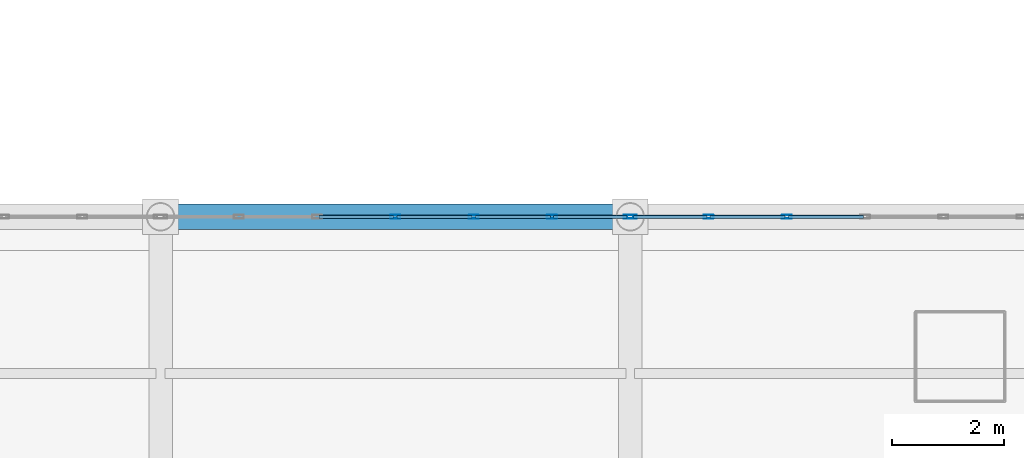
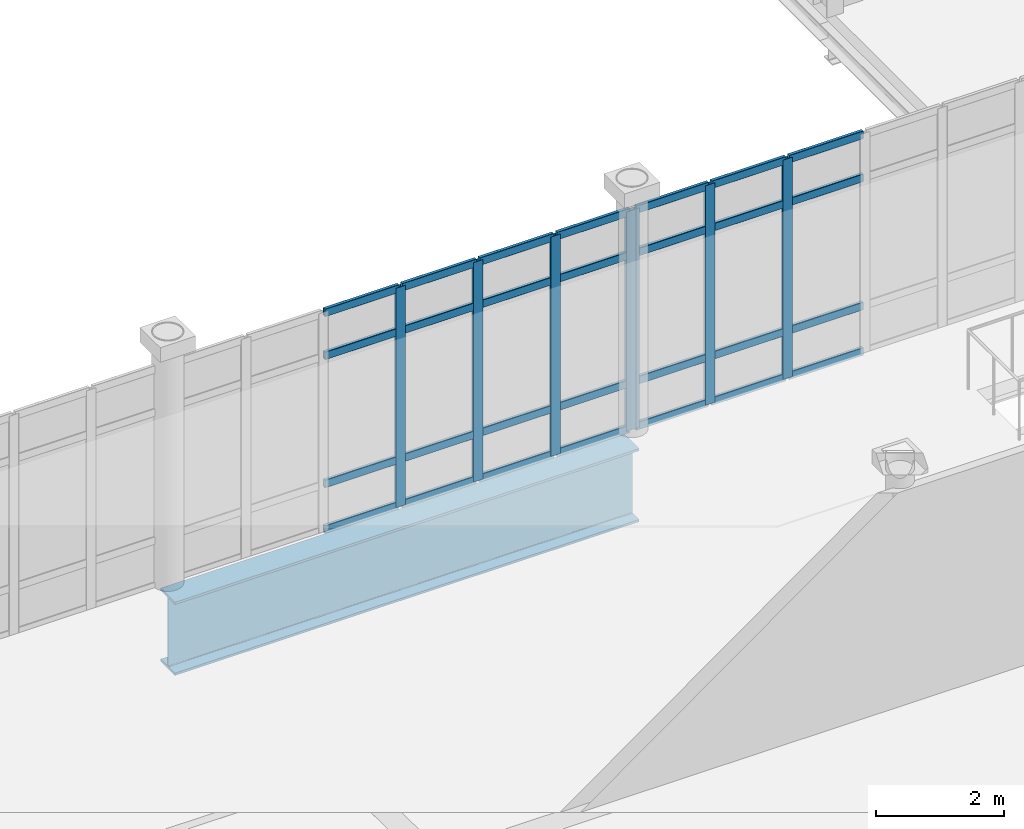
# One storey, part 56 of 145: 35 members, 1 beam, 2 elements without a shape of their own.
"""IFC4 building model written with IfcOpenShell, lengths in metres."""

from ifc_helpers import new_model, si_unit, direction, frame, origin, origin_2d, place, context, subcontext, project, spatial, hollow_rectangle, i_section, extrude, material, layer, layer_set, material_profile, profile_set, type_object, element, aggregate, save


model = new_model("IFC4")

# Units and contexts
model_context = context("Model", 3, precision=1e-05, world=origin(), true_north=direction((0.0, 1.0)))
body_context = subcontext(model_context, "Body", "Model", "MODEL_VIEW")
ifc_project = project(units=[si_unit("LENGTHUNIT", "METRE"), si_unit("AREAUNIT", "SQUARE_METRE"), si_unit("VOLUMEUNIT", "CUBIC_METRE"), si_unit("PLANEANGLEUNIT", "RADIAN"), si_unit("MASSUNIT", "GRAM", prefix="KILO")], contexts=[model_context])

# Site, building, storey
site_placement = place(None, origin())
site = spatial("IfcSite", under=ifc_project, at=site_placement, CompositionType="ELEMENT")
building_placement = place(site_placement, origin())
building = spatial("IfcBuilding", under=site, at=building_placement, Name="Qalvenar Corner Mobility Hub", CompositionType="ELEMENT")
storey_placement = place(building_placement, origin())
storey = spatial("IfcBuildingStorey", under=building, at=storey_placement, Name="L00", CompositionType="ELEMENT", Elevation=0.0)

# Beam
ifc_material_1 = material(Name="Steel S355", Category="steel")
ifc_material_profile_1 = material_profile(ifc_material_1, i_section(OverallWidth=0.449951171875, OverallDepth=1.39990234375, WebThickness=0.02587890625, FlangeThickness=0.0439453125, FilletRadius=0.02392578125, at=origin_2d()), Name="W1100x499-TG1400")
ifc_profile_set_1 = profile_set([ifc_material_profile_1], Name="Steel S355")
beam_type = type_object("IfcBeamType", Name="BM-TG1400", PredefinedType="T_BEAM", material=ifc_profile_set_1)
beam_placement = place(storey_placement, frame((92.39990234375, 33.60009765625, -0.949951171875), z_axis=(1.0, 0.0, 0.0), x_axis=(0.0, 1.0, 0.0)))
element("IfcBeam", 1, at=beam_placement, inside=storey, type_object=beam_type, Name="Transfer Girder TG-0162", PredefinedType="T_BEAM", context=body_context, shape_type="SweptSolid", body=[
    extrude(i_section(OverallWidth=0.449951171875, OverallDepth=1.39990234375, WebThickness=0.02587890625, FlangeThickness=0.0439453125, FilletRadius=0.02392578125, at=origin_2d()), origin(), (0.0, 0.0, 1.0), 8.400146484375),
])

# Curtain wall, members
ifc_material_2 = material(Name="Anodised Aluminium and Low-E Glazing", Category="aluminium")
ifc_layer = layer(ifc_material_2, 0.179931640625)
ifc_layer_set = layer_set([ifc_layer], Name="Anodised Aluminium and Low-E Glazing")
curtain_wall_type = type_object("IfcCurtainWallType", Name="CW-CONC-84X48", PredefinedType="NOTDEFINED", material=ifc_layer_set)
curtain_wall_1_placement = place(storey_placement, origin())
curtain_wall_1 = element("IfcCurtainWall", 2, at=curtain_wall_1_placement, inside=storey, type_object=curtain_wall_type, Name="Glazed Curtain Wall CW-V1-L00-N5", PredefinedType="NOTDEFINED")
ifc_material_3 = material(Name="Anodised Aluminium 6063-T6", Category="aluminium")
ifc_material_profile_2 = material_profile(ifc_material_3, hollow_rectangle(XDim=0.06494140625, YDim=0.179931640625, WallThickness=0.00390625, InnerFilletRadius=0.00390625, OuterFilletRadius=0.008056640625, at=origin_2d()), Name="RHS180x65x4")
ifc_profile_set_2 = profile_set([ifc_material_profile_2], Name="Anodised Aluminium 6063-T6")
member_type_1 = type_object("IfcMemberType", Name="CW-MUL180", PredefinedType="MULLION", material=ifc_profile_set_2)
member_1_placement = place(storey_placement, frame((100.77001953125, 33.60009765625, 0.0), z_axis=(0.0, 0.0, 1.0), x_axis=(0.0, -1.0, 0.0)))
member_1 = element("IfcMember", 3, at=member_1_placement, type_object=member_type_1, Name="CW-01 mullion 1", PredefinedType="MULLION", context=body_context, shape_type="SweptSolid", body=[
    extrude(hollow_rectangle(XDim=0.06494140625, YDim=0.179931640625, WallThickness=0.00390625, InnerFilletRadius=0.00390625, OuterFilletRadius=0.008056640625, at=origin_2d()), origin(), (0.0, 0.0, 1.0), 4.199951171875),
])
member_2_placement = place(storey_placement, frame((99.39990234375, 33.60009765625, 0.0), z_axis=(0.0, 0.0, 1.0), x_axis=(0.0, -1.0, 0.0)))
member_2 = element("IfcMember", 4, at=member_2_placement, type_object=member_type_1, Name="CW-01 mullion 2", PredefinedType="MULLION", context=body_context, shape_type="SweptSolid", body=[
    extrude(hollow_rectangle(XDim=0.06494140625, YDim=0.179931640625, WallThickness=0.00390625, InnerFilletRadius=0.00390625, OuterFilletRadius=0.008056640625, at=origin_2d()), origin(), (0.0, 0.0, 1.0), 4.199951171875),
])
member_3_placement = place(storey_placement, frame((98.0, 33.60009765625, 0.0), z_axis=(0.0, 0.0, 1.0), x_axis=(0.0, -1.0, 0.0)))
member_3 = element("IfcMember", 5, at=member_3_placement, type_object=member_type_1, Name="CW-01 mullion 3", PredefinedType="MULLION", context=body_context, shape_type="SweptSolid", body=[
    extrude(hollow_rectangle(XDim=0.06494140625, YDim=0.179931640625, WallThickness=0.00390625, InnerFilletRadius=0.00390625, OuterFilletRadius=0.008056640625, at=origin_2d()), origin(), (0.0, 0.0, 1.0), 4.199951171875),
])
member_4_placement = place(storey_placement, frame((96.60009765625, 33.60009765625, 0.0), z_axis=(0.0, 0.0, 1.0), x_axis=(0.0, -1.0, 0.0)))
member_4 = element("IfcMember", 6, at=member_4_placement, type_object=member_type_1, Name="CW-01 mullion 4", PredefinedType="MULLION", context=body_context, shape_type="SweptSolid", body=[
    extrude(hollow_rectangle(XDim=0.06494140625, YDim=0.179931640625, WallThickness=0.00390625, InnerFilletRadius=0.00390625, OuterFilletRadius=0.008056640625, at=origin_2d()), origin(), (0.0, 0.0, 1.0), 4.199951171875),
])

curtain_wall_2_placement = place(storey_placement, origin())
curtain_wall_2 = element("IfcCurtainWall", 7, at=curtain_wall_2_placement, inside=storey, type_object=curtain_wall_type, Name="Glazed Curtain Wall CW-V1-L00-N6", PredefinedType="NOTDEFINED")
member_5_placement = place(storey_placement, frame((103.60009765625, 33.60009765625, 0.0), z_axis=(0.0, 0.0, 1.0), x_axis=(0.0, -1.0, 0.0)))
member_5 = element("IfcMember", 8, at=member_5_placement, type_object=member_type_1, Name="CW-01 mullion 5", PredefinedType="MULLION", context=body_context, shape_type="SweptSolid", body=[
    extrude(hollow_rectangle(XDim=0.06494140625, YDim=0.179931640625, WallThickness=0.00390625, InnerFilletRadius=0.00390625, OuterFilletRadius=0.008056640625, at=origin_2d()), origin(), (0.0, 0.0, 1.0), 4.199951171875),
])
member_6_placement = place(storey_placement, frame((102.199951171875, 33.60009765625, 0.0), z_axis=(0.0, 0.0, 1.0), x_axis=(0.0, -1.0, 0.0)))
member_6 = element("IfcMember", 9, at=member_6_placement, type_object=member_type_1, Name="CW-01 mullion 6", PredefinedType="MULLION", context=body_context, shape_type="SweptSolid", body=[
    extrude(hollow_rectangle(XDim=0.06494140625, YDim=0.179931640625, WallThickness=0.00390625, InnerFilletRadius=0.00390625, OuterFilletRadius=0.008056640625, at=origin_2d()), origin(), (0.0, 0.0, 1.0), 4.199951171875),
])
member_7_placement = place(storey_placement, frame((100.830078125, 33.60009765625, 0.0), z_axis=(0.0, 0.0, 1.0), x_axis=(0.0, -1.0, 0.0)))
member_7 = element("IfcMember", 10, at=member_7_placement, type_object=member_type_1, Name="CW-01 mullion 7", PredefinedType="MULLION", context=body_context, shape_type="SweptSolid", body=[
    extrude(hollow_rectangle(XDim=0.06494140625, YDim=0.179931640625, WallThickness=0.00390625, InnerFilletRadius=0.00390625, OuterFilletRadius=0.008056640625, at=origin_2d()), origin(), (0.0, 0.0, 1.0), 4.199951171875),
])

# Member
ifc_material_profile_3 = material_profile(ifc_material_3, hollow_rectangle(XDim=0.06005859375, YDim=0.14990234375, WallThickness=0.00341796875, InnerFilletRadius=0.00341796875, OuterFilletRadius=0.007080078125, at=origin_2d()), Name="RHS150x60x3.5")
ifc_profile_set_3 = profile_set([ifc_material_profile_3], Name="Anodised Aluminium 6063-T6")
member_type_2 = type_object("IfcMemberType", Name="CW-TRN150", PredefinedType="USERDEFINED", material=ifc_profile_set_3)
member_8_placement = place(storey_placement, frame((100.739990234375, 33.60009765625, 0.027587890625), z_axis=(-1.0, 0.0, 0.0), x_axis=(0.0, -1.0, 0.0)))
member_8 = element("IfcMember", 11, at=member_8_placement, type_object=member_type_2, Name="CW-01 transom 1.1", ObjectType="TRANSOM", PredefinedType="USERDEFINED", context=body_context, shape_type="SweptSolid", body=[
    extrude(hollow_rectangle(XDim=0.06005859375, YDim=0.14990234375, WallThickness=0.00341796875, InnerFilletRadius=0.00341796875, OuterFilletRadius=0.007080078125, at=origin_2d()), origin(), (0.0, 0.0, 1.0), 1.31005859375),
])

member_9_placement = place(storey_placement, frame((100.739990234375, 33.60009765625, 0.89990234375), z_axis=(-1.0, 0.0, 0.0), x_axis=(0.0, -1.0, 0.0)))
member_9 = element("IfcMember", 12, at=member_9_placement, type_object=member_type_2, Name="CW-01 transom 1.2", ObjectType="TRANSOM", PredefinedType="USERDEFINED", context=body_context, shape_type="SweptSolid", body=[
    extrude(hollow_rectangle(XDim=0.06005859375, YDim=0.14990234375, WallThickness=0.00341796875, InnerFilletRadius=0.00341796875, OuterFilletRadius=0.007080078125, at=origin_2d()), origin(), (0.0, 0.0, 1.0), 1.31005859375),
])

member_10_placement = place(storey_placement, frame((100.739990234375, 33.60009765625, 3.35009765625), z_axis=(-1.0, 0.0, 0.0), x_axis=(0.0, -1.0, 0.0)))
member_10 = element("IfcMember", 13, at=member_10_placement, type_object=member_type_2, Name="CW-01 transom 1.3", ObjectType="TRANSOM", PredefinedType="USERDEFINED", context=body_context, shape_type="SweptSolid", body=[
    extrude(hollow_rectangle(XDim=0.06005859375, YDim=0.14990234375, WallThickness=0.00341796875, InnerFilletRadius=0.00341796875, OuterFilletRadius=0.007080078125, at=origin_2d()), origin(), (0.0, 0.0, 1.0), 1.31005859375),
])

member_11_placement = place(storey_placement, frame((100.739990234375, 33.60009765625, 4.172607421875), z_axis=(-1.0, 0.0, 0.0), x_axis=(0.0, -1.0, 0.0)))
member_11 = element("IfcMember", 14, at=member_11_placement, type_object=member_type_2, Name="CW-01 transom 1.4", ObjectType="TRANSOM", PredefinedType="USERDEFINED", context=body_context, shape_type="SweptSolid", body=[
    extrude(hollow_rectangle(XDim=0.06005859375, YDim=0.14990234375, WallThickness=0.00341796875, InnerFilletRadius=0.00341796875, OuterFilletRadius=0.007080078125, at=origin_2d()), origin(), (0.0, 0.0, 1.0), 1.31005859375),
])

member_12_placement = place(storey_placement, frame((99.3701171875, 33.60009765625, 0.027587890625), z_axis=(-1.0, 0.0, 0.0), x_axis=(0.0, -1.0, 0.0)))
member_12 = element("IfcMember", 15, at=member_12_placement, type_object=member_type_2, Name="CW-01 transom 2.1", ObjectType="TRANSOM", PredefinedType="USERDEFINED", context=body_context, shape_type="SweptSolid", body=[
    extrude(hollow_rectangle(XDim=0.06005859375, YDim=0.14990234375, WallThickness=0.00341796875, InnerFilletRadius=0.00341796875, OuterFilletRadius=0.007080078125, at=origin_2d()), origin(), (0.0, 0.0, 1.0), 1.340087890625),
])

member_13_placement = place(storey_placement, frame((99.3701171875, 33.60009765625, 0.89990234375), z_axis=(-1.0, 0.0, 0.0), x_axis=(0.0, -1.0, 0.0)))
member_13 = element("IfcMember", 16, at=member_13_placement, type_object=member_type_2, Name="CW-01 transom 2.2", ObjectType="TRANSOM", PredefinedType="USERDEFINED", context=body_context, shape_type="SweptSolid", body=[
    extrude(hollow_rectangle(XDim=0.06005859375, YDim=0.14990234375, WallThickness=0.00341796875, InnerFilletRadius=0.00341796875, OuterFilletRadius=0.007080078125, at=origin_2d()), origin(), (0.0, 0.0, 1.0), 1.340087890625),
])

member_14_placement = place(storey_placement, frame((99.3701171875, 33.60009765625, 3.35009765625), z_axis=(-1.0, 0.0, 0.0), x_axis=(0.0, -1.0, 0.0)))
member_14 = element("IfcMember", 17, at=member_14_placement, type_object=member_type_2, Name="CW-01 transom 2.3", ObjectType="TRANSOM", PredefinedType="USERDEFINED", context=body_context, shape_type="SweptSolid", body=[
    extrude(hollow_rectangle(XDim=0.06005859375, YDim=0.14990234375, WallThickness=0.00341796875, InnerFilletRadius=0.00341796875, OuterFilletRadius=0.007080078125, at=origin_2d()), origin(), (0.0, 0.0, 1.0), 1.340087890625),
])

member_15_placement = place(storey_placement, frame((99.3701171875, 33.60009765625, 4.172607421875), z_axis=(-1.0, 0.0, 0.0), x_axis=(0.0, -1.0, 0.0)))
member_15 = element("IfcMember", 18, at=member_15_placement, type_object=member_type_2, Name="CW-01 transom 2.4", ObjectType="TRANSOM", PredefinedType="USERDEFINED", context=body_context, shape_type="SweptSolid", body=[
    extrude(hollow_rectangle(XDim=0.06005859375, YDim=0.14990234375, WallThickness=0.00341796875, InnerFilletRadius=0.00341796875, OuterFilletRadius=0.007080078125, at=origin_2d()), origin(), (0.0, 0.0, 1.0), 1.340087890625),
])

member_16_placement = place(storey_placement, frame((97.969970703125, 33.60009765625, 0.027587890625), z_axis=(-1.0, 0.0, 0.0), x_axis=(0.0, -1.0, 0.0)))
member_16 = element("IfcMember", 19, at=member_16_placement, type_object=member_type_2, Name="CW-01 transom 3.1", ObjectType="TRANSOM", PredefinedType="USERDEFINED", context=body_context, shape_type="SweptSolid", body=[
    extrude(hollow_rectangle(XDim=0.06005859375, YDim=0.14990234375, WallThickness=0.00341796875, InnerFilletRadius=0.00341796875, OuterFilletRadius=0.007080078125, at=origin_2d()), origin(), (0.0, 0.0, 1.0), 1.340087890625),
])

member_17_placement = place(storey_placement, frame((97.969970703125, 33.60009765625, 0.89990234375), z_axis=(-1.0, 0.0, 0.0), x_axis=(0.0, -1.0, 0.0)))
member_17 = element("IfcMember", 20, at=member_17_placement, type_object=member_type_2, Name="CW-01 transom 3.2", ObjectType="TRANSOM", PredefinedType="USERDEFINED", context=body_context, shape_type="SweptSolid", body=[
    extrude(hollow_rectangle(XDim=0.06005859375, YDim=0.14990234375, WallThickness=0.00341796875, InnerFilletRadius=0.00341796875, OuterFilletRadius=0.007080078125, at=origin_2d()), origin(), (0.0, 0.0, 1.0), 1.340087890625),
])

member_18_placement = place(storey_placement, frame((97.969970703125, 33.60009765625, 3.35009765625), z_axis=(-1.0, 0.0, 0.0), x_axis=(0.0, -1.0, 0.0)))
member_18 = element("IfcMember", 21, at=member_18_placement, type_object=member_type_2, Name="CW-01 transom 3.3", ObjectType="TRANSOM", PredefinedType="USERDEFINED", context=body_context, shape_type="SweptSolid", body=[
    extrude(hollow_rectangle(XDim=0.06005859375, YDim=0.14990234375, WallThickness=0.00341796875, InnerFilletRadius=0.00341796875, OuterFilletRadius=0.007080078125, at=origin_2d()), origin(), (0.0, 0.0, 1.0), 1.340087890625),
])

member_19_placement = place(storey_placement, frame((97.969970703125, 33.60009765625, 4.172607421875), z_axis=(-1.0, 0.0, 0.0), x_axis=(0.0, -1.0, 0.0)))
member_19 = element("IfcMember", 22, at=member_19_placement, type_object=member_type_2, Name="CW-01 transom 3.4", ObjectType="TRANSOM", PredefinedType="USERDEFINED", context=body_context, shape_type="SweptSolid", body=[
    extrude(hollow_rectangle(XDim=0.06005859375, YDim=0.14990234375, WallThickness=0.00341796875, InnerFilletRadius=0.00341796875, OuterFilletRadius=0.007080078125, at=origin_2d()), origin(), (0.0, 0.0, 1.0), 1.340087890625),
])

member_20_placement = place(storey_placement, frame((96.570068359375, 33.60009765625, 0.027587890625), z_axis=(-1.0, 0.0, 0.0), x_axis=(0.0, -1.0, 0.0)))
member_20 = element("IfcMember", 23, at=member_20_placement, type_object=member_type_2, Name="CW-01 transom 4.1", ObjectType="TRANSOM", PredefinedType="USERDEFINED", context=body_context, shape_type="SweptSolid", body=[
    extrude(hollow_rectangle(XDim=0.06005859375, YDim=0.14990234375, WallThickness=0.00341796875, InnerFilletRadius=0.00341796875, OuterFilletRadius=0.007080078125, at=origin_2d()), origin(), (0.0, 0.0, 1.0), 1.340087890625),
])

member_21_placement = place(storey_placement, frame((96.570068359375, 33.60009765625, 0.89990234375), z_axis=(-1.0, 0.0, 0.0), x_axis=(0.0, -1.0, 0.0)))
member_21 = element("IfcMember", 24, at=member_21_placement, type_object=member_type_2, Name="CW-01 transom 4.2", ObjectType="TRANSOM", PredefinedType="USERDEFINED", context=body_context, shape_type="SweptSolid", body=[
    extrude(hollow_rectangle(XDim=0.06005859375, YDim=0.14990234375, WallThickness=0.00341796875, InnerFilletRadius=0.00341796875, OuterFilletRadius=0.007080078125, at=origin_2d()), origin(), (0.0, 0.0, 1.0), 1.340087890625),
])

member_22_placement = place(storey_placement, frame((96.570068359375, 33.60009765625, 3.35009765625), z_axis=(-1.0, 0.0, 0.0), x_axis=(0.0, -1.0, 0.0)))
member_22 = element("IfcMember", 25, at=member_22_placement, type_object=member_type_2, Name="CW-01 transom 4.3", ObjectType="TRANSOM", PredefinedType="USERDEFINED", context=body_context, shape_type="SweptSolid", body=[
    extrude(hollow_rectangle(XDim=0.06005859375, YDim=0.14990234375, WallThickness=0.00341796875, InnerFilletRadius=0.00341796875, OuterFilletRadius=0.007080078125, at=origin_2d()), origin(), (0.0, 0.0, 1.0), 1.340087890625),
])

member_23_placement = place(storey_placement, frame((96.570068359375, 33.60009765625, 4.172607421875), z_axis=(-1.0, 0.0, 0.0), x_axis=(0.0, -1.0, 0.0)))
member_23 = element("IfcMember", 26, at=member_23_placement, type_object=member_type_2, Name="CW-01 transom 4.4", ObjectType="TRANSOM", PredefinedType="USERDEFINED", context=body_context, shape_type="SweptSolid", body=[
    extrude(hollow_rectangle(XDim=0.06005859375, YDim=0.14990234375, WallThickness=0.00341796875, InnerFilletRadius=0.00341796875, OuterFilletRadius=0.007080078125, at=origin_2d()), origin(), (0.0, 0.0, 1.0), 1.340087890625),
])

aggregate(curtain_wall_1, [member_1, member_2, member_3, member_4, member_8, member_9, member_10, member_11, member_12, member_13, member_14, member_15, member_16, member_17, member_18, member_19, member_20, member_21, member_22, member_23])

member_24_placement = place(storey_placement, frame((104.969970703125, 33.60009765625, 0.027587890625), z_axis=(-1.0, 0.0, 0.0), x_axis=(0.0, -1.0, 0.0)))
member_24 = element("IfcMember", 27, at=member_24_placement, type_object=member_type_2, Name="CW-01 transom 4.1", ObjectType="TRANSOM", PredefinedType="USERDEFINED", context=body_context, shape_type="SweptSolid", body=[
    extrude(hollow_rectangle(XDim=0.06005859375, YDim=0.14990234375, WallThickness=0.00341796875, InnerFilletRadius=0.00341796875, OuterFilletRadius=0.007080078125, at=origin_2d()), origin(), (0.0, 0.0, 1.0), 1.340087890625),
])

member_25_placement = place(storey_placement, frame((104.969970703125, 33.60009765625, 0.89990234375), z_axis=(-1.0, 0.0, 0.0), x_axis=(0.0, -1.0, 0.0)))
member_25 = element("IfcMember", 28, at=member_25_placement, type_object=member_type_2, Name="CW-01 transom 4.2", ObjectType="TRANSOM", PredefinedType="USERDEFINED", context=body_context, shape_type="SweptSolid", body=[
    extrude(hollow_rectangle(XDim=0.06005859375, YDim=0.14990234375, WallThickness=0.00341796875, InnerFilletRadius=0.00341796875, OuterFilletRadius=0.007080078125, at=origin_2d()), origin(), (0.0, 0.0, 1.0), 1.340087890625),
])

member_26_placement = place(storey_placement, frame((104.969970703125, 33.60009765625, 3.35009765625), z_axis=(-1.0, 0.0, 0.0), x_axis=(0.0, -1.0, 0.0)))
member_26 = element("IfcMember", 29, at=member_26_placement, type_object=member_type_2, Name="CW-01 transom 4.3", ObjectType="TRANSOM", PredefinedType="USERDEFINED", context=body_context, shape_type="SweptSolid", body=[
    extrude(hollow_rectangle(XDim=0.06005859375, YDim=0.14990234375, WallThickness=0.00341796875, InnerFilletRadius=0.00341796875, OuterFilletRadius=0.007080078125, at=origin_2d()), origin(), (0.0, 0.0, 1.0), 1.340087890625),
])

member_27_placement = place(storey_placement, frame((104.969970703125, 33.60009765625, 4.172607421875), z_axis=(-1.0, 0.0, 0.0), x_axis=(0.0, -1.0, 0.0)))
member_27 = element("IfcMember", 30, at=member_27_placement, type_object=member_type_2, Name="CW-01 transom 4.4", ObjectType="TRANSOM", PredefinedType="USERDEFINED", context=body_context, shape_type="SweptSolid", body=[
    extrude(hollow_rectangle(XDim=0.06005859375, YDim=0.14990234375, WallThickness=0.00341796875, InnerFilletRadius=0.00341796875, OuterFilletRadius=0.007080078125, at=origin_2d()), origin(), (0.0, 0.0, 1.0), 1.340087890625),
])

member_28_placement = place(storey_placement, frame((103.570068359375, 33.60009765625, 0.027587890625), z_axis=(-1.0, 0.0, 0.0), x_axis=(0.0, -1.0, 0.0)))
member_28 = element("IfcMember", 31, at=member_28_placement, type_object=member_type_2, Name="CW-01 transom 5.1", ObjectType="TRANSOM", PredefinedType="USERDEFINED", context=body_context, shape_type="SweptSolid", body=[
    extrude(hollow_rectangle(XDim=0.06005859375, YDim=0.14990234375, WallThickness=0.00341796875, InnerFilletRadius=0.00341796875, OuterFilletRadius=0.007080078125, at=origin_2d()), origin(), (0.0, 0.0, 1.0), 1.340087890625),
])

member_29_placement = place(storey_placement, frame((103.570068359375, 33.60009765625, 0.89990234375), z_axis=(-1.0, 0.0, 0.0), x_axis=(0.0, -1.0, 0.0)))
member_29 = element("IfcMember", 32, at=member_29_placement, type_object=member_type_2, Name="CW-01 transom 5.2", ObjectType="TRANSOM", PredefinedType="USERDEFINED", context=body_context, shape_type="SweptSolid", body=[
    extrude(hollow_rectangle(XDim=0.06005859375, YDim=0.14990234375, WallThickness=0.00341796875, InnerFilletRadius=0.00341796875, OuterFilletRadius=0.007080078125, at=origin_2d()), origin(), (0.0, 0.0, 1.0), 1.340087890625),
])

member_30_placement = place(storey_placement, frame((103.570068359375, 33.60009765625, 3.35009765625), z_axis=(-1.0, 0.0, 0.0), x_axis=(0.0, -1.0, 0.0)))
member_30 = element("IfcMember", 33, at=member_30_placement, type_object=member_type_2, Name="CW-01 transom 5.3", ObjectType="TRANSOM", PredefinedType="USERDEFINED", context=body_context, shape_type="SweptSolid", body=[
    extrude(hollow_rectangle(XDim=0.06005859375, YDim=0.14990234375, WallThickness=0.00341796875, InnerFilletRadius=0.00341796875, OuterFilletRadius=0.007080078125, at=origin_2d()), origin(), (0.0, 0.0, 1.0), 1.340087890625),
])

member_31_placement = place(storey_placement, frame((103.570068359375, 33.60009765625, 4.172607421875), z_axis=(-1.0, 0.0, 0.0), x_axis=(0.0, -1.0, 0.0)))
member_31 = element("IfcMember", 34, at=member_31_placement, type_object=member_type_2, Name="CW-01 transom 5.4", ObjectType="TRANSOM", PredefinedType="USERDEFINED", context=body_context, shape_type="SweptSolid", body=[
    extrude(hollow_rectangle(XDim=0.06005859375, YDim=0.14990234375, WallThickness=0.00341796875, InnerFilletRadius=0.00341796875, OuterFilletRadius=0.007080078125, at=origin_2d()), origin(), (0.0, 0.0, 1.0), 1.340087890625),
])

member_32_placement = place(storey_placement, frame((102.169921875, 33.60009765625, 0.027587890625), z_axis=(-1.0, 0.0, 0.0), x_axis=(0.0, -1.0, 0.0)))
member_32 = element("IfcMember", 35, at=member_32_placement, type_object=member_type_2, Name="CW-01 transom 6.1", ObjectType="TRANSOM", PredefinedType="USERDEFINED", context=body_context, shape_type="SweptSolid", body=[
    extrude(hollow_rectangle(XDim=0.06005859375, YDim=0.14990234375, WallThickness=0.00341796875, InnerFilletRadius=0.00341796875, OuterFilletRadius=0.007080078125, at=origin_2d()), origin(), (0.0, 0.0, 1.0), 1.309814453125),
])

member_33_placement = place(storey_placement, frame((102.169921875, 33.60009765625, 0.89990234375), z_axis=(-1.0, 0.0, 0.0), x_axis=(0.0, -1.0, 0.0)))
member_33 = element("IfcMember", 36, at=member_33_placement, type_object=member_type_2, Name="CW-01 transom 6.2", ObjectType="TRANSOM", PredefinedType="USERDEFINED", context=body_context, shape_type="SweptSolid", body=[
    extrude(hollow_rectangle(XDim=0.06005859375, YDim=0.14990234375, WallThickness=0.00341796875, InnerFilletRadius=0.00341796875, OuterFilletRadius=0.007080078125, at=origin_2d()), origin(), (0.0, 0.0, 1.0), 1.309814453125),
])

member_34_placement = place(storey_placement, frame((102.169921875, 33.60009765625, 3.35009765625), z_axis=(-1.0, 0.0, 0.0), x_axis=(0.0, -1.0, 0.0)))
member_34 = element("IfcMember", 37, at=member_34_placement, type_object=member_type_2, Name="CW-01 transom 6.3", ObjectType="TRANSOM", PredefinedType="USERDEFINED", context=body_context, shape_type="SweptSolid", body=[
    extrude(hollow_rectangle(XDim=0.06005859375, YDim=0.14990234375, WallThickness=0.00341796875, InnerFilletRadius=0.00341796875, OuterFilletRadius=0.007080078125, at=origin_2d()), origin(), (0.0, 0.0, 1.0), 1.309814453125),
])

member_35_placement = place(storey_placement, frame((102.169921875, 33.60009765625, 4.172607421875), z_axis=(-1.0, 0.0, 0.0), x_axis=(0.0, -1.0, 0.0)))
member_35 = element("IfcMember", 38, at=member_35_placement, type_object=member_type_2, Name="CW-01 transom 6.4", ObjectType="TRANSOM", PredefinedType="USERDEFINED", context=body_context, shape_type="SweptSolid", body=[
    extrude(hollow_rectangle(XDim=0.06005859375, YDim=0.14990234375, WallThickness=0.00341796875, InnerFilletRadius=0.00341796875, OuterFilletRadius=0.007080078125, at=origin_2d()), origin(), (0.0, 0.0, 1.0), 1.309814453125),
])

aggregate(curtain_wall_2, [member_5, member_6, member_7, member_24, member_25, member_26, member_27, member_28, member_29, member_30, member_31, member_32, member_33, member_34, member_35])

save(model, "model.ifc")
